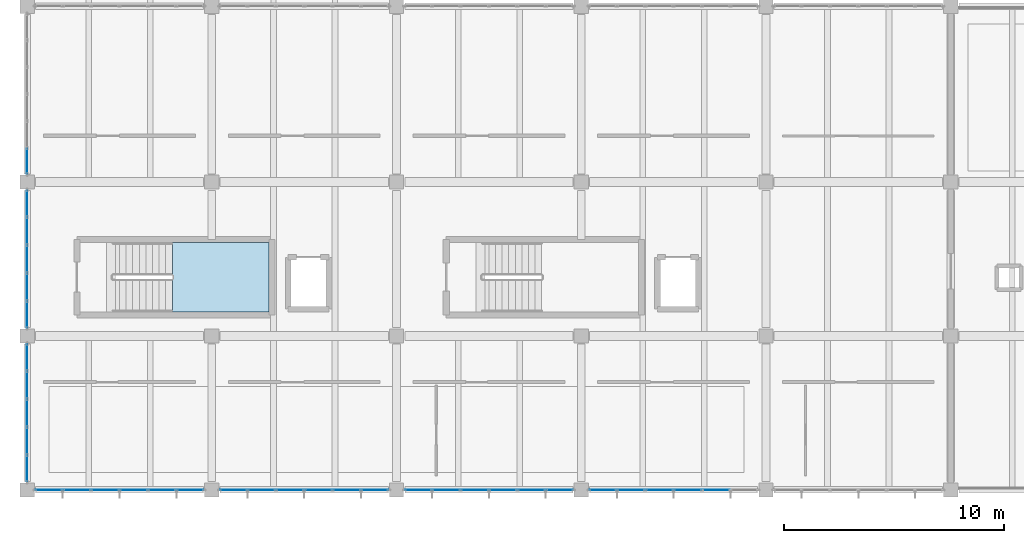
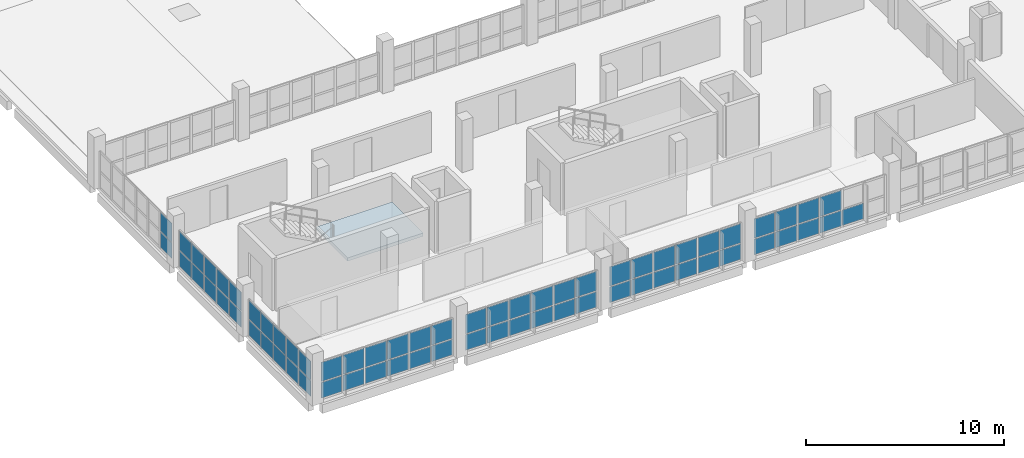
# One storey, part 22 of 33: 67 plates, 1 slab, 8 elements without a shape of their own.
"""IFC4 building model written with IfcOpenShell, lengths in metres."""

from ifc_helpers import new_model, si_unit, direction, frame, origin, origin_2d, place, context, subcontext, project, spatial, polyline, rectangle, outline, extrude, material, layer, layer_set, type_object, element, aggregate, save


model = new_model("IFC4")

# Units and contexts
model_context = context("Model", 3, precision=1e-05, world=origin(), true_north=direction((0.0, 1.0)))
body_context = subcontext(model_context, "Body", "Model", "MODEL_VIEW")
ifc_project = project(units=[si_unit("LENGTHUNIT", "METRE"), si_unit("AREAUNIT", "SQUARE_METRE"), si_unit("VOLUMEUNIT", "CUBIC_METRE"), si_unit("PLANEANGLEUNIT", "RADIAN"), si_unit("MASSUNIT", "GRAM", prefix="KILO"), si_unit("THERMODYNAMICTEMPERATUREUNIT", "KELVIN"), si_unit("POWERUNIT", "WATT")], contexts=[model_context])

# Site, building, storey
site_placement = place(None, origin())
site = spatial("IfcSite", under=ifc_project, at=site_placement, CompositionType="ELEMENT")
building_placement = place(site_placement, origin())
building = spatial("IfcBuilding", under=site, at=building_placement, Name="Mavoryth Pier Ferry Terminal", CompositionType="ELEMENT")
storey_placement = place(building_placement, frame((0.0, 0.0, 13.1201171875)))
storey = spatial("IfcBuildingStorey", under=building, at=storey_placement, Name="L03", CompositionType="ELEMENT", Elevation=13.1201171875)

# Curtain wall, plates
ifc_material_1 = material(Name="Anodised Aluminium and Solar-Control Low-E Glass", Category="aluminium")
ifc_layer_1 = layer(ifc_material_1, 0.239990234375, Name="Anodised Aluminium and Solar-Control Low-E Glass", Category="aluminium")
ifc_layer_set_1 = layer_set([ifc_layer_1], Name="Anodised Aluminium and Solar-Control Low-E Glass - CW-Operations-Mod1200")
curtain_wall_type = type_object("IfcCurtainWallType", Name="CW-Operations-Mod1200", PredefinedType="USERDEFINED", material=ifc_layer_set_1)
curtain_wall_1_placement = place(storey_placement, origin())
curtain_wall_1 = element("IfcCurtainWall", 1, at=curtain_wall_1_placement, inside=storey, type_object=curtain_wall_type, Name="Curtain Wall CW-0322-136", ObjectType="UNITISED CURTAIN WALL", PredefinedType="USERDEFINED")
ifc_material_2 = material(Name="Solar-Control Low-E Laminated Double Glazing", Category="glass")
ifc_layer_2 = layer(ifc_material_2, 0.02392578125, Name="Solar-Control Low-E Laminated Double Glazing", Category="glass")
ifc_layer_set_2 = layer_set([ifc_layer_2], Name="Solar-Control Low-E Laminated Double Glazing - Panel-LowE-DGU-24")
plate_type = type_object("IfcPlateType", Name="Panel-LowE-DGU-24", PredefinedType="CURTAIN_PANEL", material=ifc_layer_set_2)
plate_1_placement = place(storey_placement, frame((42.98583984375, 0.0, 0.059814453125), z_axis=(0.0, 0.0, 1.0), x_axis=(1.0, 0.0, 0.0)))
plate_1 = element("IfcPlate", 2, at=plate_1_placement, type_object=plate_type, Name="CW06 panel 1.1", PredefinedType="CURTAIN_PANEL", context=body_context, shape_type="SweptSolid", body=[
    extrude(rectangle(XDim=1.20166015625, YDim=0.02392578125, at=origin_2d()), origin(), (0.0, 0.0, 1.0), 0.9599609375),
])
plate_2_placement = place(storey_placement, frame((42.98583984375, 0.0, 1.079833984375), z_axis=(0.0, 0.0, 1.0), x_axis=(1.0, 0.0, 0.0)))
plate_2 = element("IfcPlate", 3, at=plate_2_placement, type_object=plate_type, Name="CW06 panel 1.2", PredefinedType="CURTAIN_PANEL", context=body_context, shape_type="SweptSolid", body=[
    extrude(rectangle(XDim=1.20166015625, YDim=0.02392578125, at=origin_2d()), origin(), (0.0, 0.0, 1.0), 1.18505859375),
])
plate_3_placement = place(storey_placement, frame((44.262451171875, 0.0, 0.059814453125), z_axis=(0.0, 0.0, 1.0), x_axis=(1.0, 0.0, 0.0)))
plate_3 = element("IfcPlate", 4, at=plate_3_placement, type_object=plate_type, Name="CW06 panel 2.1", PredefinedType="CURTAIN_PANEL", context=body_context, shape_type="SweptSolid", body=[
    extrude(rectangle(XDim=1.231689453125, YDim=0.02392578125, at=origin_2d()), origin(), (0.0, 0.0, 1.0), 0.9599609375),
])
plate_4_placement = place(storey_placement, frame((44.262451171875, 0.0, 1.079833984375), z_axis=(0.0, 0.0, 1.0), x_axis=(1.0, 0.0, 0.0)))
plate_4 = element("IfcPlate", 5, at=plate_4_placement, type_object=plate_type, Name="CW06 panel 2.2", PredefinedType="CURTAIN_PANEL", context=body_context, shape_type="SweptSolid", body=[
    extrude(rectangle(XDim=1.231689453125, YDim=0.02392578125, at=origin_2d()), origin(), (0.0, 0.0, 1.0), 1.18505859375),
])
plate_5_placement = place(storey_placement, frame((45.55419921875, 0.0, 0.059814453125), z_axis=(0.0, 0.0, 1.0), x_axis=(1.0, 0.0, 0.0)))
plate_5 = element("IfcPlate", 6, at=plate_5_placement, type_object=plate_type, Name="CW06 panel 3.1", PredefinedType="CURTAIN_PANEL", context=body_context, shape_type="SweptSolid", body=[
    extrude(rectangle(XDim=1.231689453125, YDim=0.02392578125, at=origin_2d()), origin(), (0.0, 0.0, 1.0), 0.9599609375),
])
plate_6_placement = place(storey_placement, frame((45.55419921875, 0.0, 1.079833984375), z_axis=(0.0, 0.0, 1.0), x_axis=(1.0, 0.0, 0.0)))
plate_6 = element("IfcPlate", 7, at=plate_6_placement, type_object=plate_type, Name="CW06 panel 3.2", PredefinedType="CURTAIN_PANEL", context=body_context, shape_type="SweptSolid", body=[
    extrude(rectangle(XDim=1.231689453125, YDim=0.02392578125, at=origin_2d()), origin(), (0.0, 0.0, 1.0), 1.18505859375),
])
plate_7_placement = place(storey_placement, frame((46.845947265625, 0.0, 0.059814453125), z_axis=(0.0, 0.0, 1.0), x_axis=(1.0, 0.0, 0.0)))
plate_7 = element("IfcPlate", 8, at=plate_7_placement, type_object=plate_type, Name="CW06 panel 4.1", PredefinedType="CURTAIN_PANEL", context=body_context, shape_type="SweptSolid", body=[
    extrude(rectangle(XDim=1.231689453125, YDim=0.02392578125, at=origin_2d()), origin(), (0.0, 0.0, 1.0), 0.9599609375),
])
plate_8_placement = place(storey_placement, frame((46.845947265625, 0.0, 1.079833984375), z_axis=(0.0, 0.0, 1.0), x_axis=(1.0, 0.0, 0.0)))
plate_8 = element("IfcPlate", 9, at=plate_8_placement, type_object=plate_type, Name="CW06 panel 4.2", PredefinedType="CURTAIN_PANEL", context=body_context, shape_type="SweptSolid", body=[
    extrude(rectangle(XDim=1.231689453125, YDim=0.02392578125, at=origin_2d()), origin(), (0.0, 0.0, 1.0), 1.18505859375),
])
plate_9_placement = place(storey_placement, frame((48.137451171875, 0.0, 0.059814453125), z_axis=(0.0, 0.0, 1.0), x_axis=(1.0, 0.0, 0.0)))
plate_9 = element("IfcPlate", 10, at=plate_9_placement, type_object=plate_type, Name="CW06 panel 5.1", PredefinedType="CURTAIN_PANEL", context=body_context, shape_type="SweptSolid", body=[
    extrude(rectangle(XDim=1.231689453125, YDim=0.02392578125, at=origin_2d()), origin(), (0.0, 0.0, 1.0), 0.9599609375),
])
plate_10_placement = place(storey_placement, frame((48.137451171875, 0.0, 1.079833984375), z_axis=(0.0, 0.0, 1.0), x_axis=(1.0, 0.0, 0.0)))
plate_10 = element("IfcPlate", 11, at=plate_10_placement, type_object=plate_type, Name="CW06 panel 5.2", PredefinedType="CURTAIN_PANEL", context=body_context, shape_type="SweptSolid", body=[
    extrude(rectangle(XDim=1.231689453125, YDim=0.02392578125, at=origin_2d()), origin(), (0.0, 0.0, 1.0), 1.18505859375),
])
plate_11_placement = place(storey_placement, frame((49.4140625, 0.0, 0.059814453125), z_axis=(0.0, 0.0, 1.0), x_axis=(1.0, 0.0, 0.0)))
plate_11 = element("IfcPlate", 12, at=plate_11_placement, type_object=plate_type, Name="CW06 panel 6.1", PredefinedType="CURTAIN_PANEL", context=body_context, shape_type="SweptSolid", body=[
    extrude(rectangle(XDim=1.20166015625, YDim=0.02392578125, at=origin_2d()), origin(), (0.0, 0.0, 1.0), 0.9599609375),
])
plate_12_placement = place(storey_placement, frame((49.4140625, 0.0, 1.079833984375), z_axis=(0.0, 0.0, 1.0), x_axis=(1.0, 0.0, 0.0)))
plate_12 = element("IfcPlate", 13, at=plate_12_placement, type_object=plate_type, Name="CW06 panel 6.2", PredefinedType="CURTAIN_PANEL", context=body_context, shape_type="SweptSolid", body=[
    extrude(rectangle(XDim=1.20166015625, YDim=0.02392578125, at=origin_2d()), origin(), (0.0, 0.0, 1.0), 1.18505859375),
])
aggregate(curtain_wall_1, [plate_1, plate_2, plate_3, plate_4, plate_5, plate_6, plate_7, plate_8, plate_9, plate_10, plate_11, plate_12])

curtain_wall_2_placement = place(storey_placement, origin())
curtain_wall_2 = element("IfcCurtainWall", 14, at=curtain_wall_2_placement, inside=storey, type_object=curtain_wall_type, Name="Curtain Wall CW-0322-138", ObjectType="UNITISED CURTAIN WALL", PredefinedType="USERDEFINED")
plate_13_placement = place(storey_placement, frame((51.3857421875, 0.0, 0.059814453125), z_axis=(0.0, 0.0, 1.0), x_axis=(1.0, 0.0, 0.0)))
plate_13 = element("IfcPlate", 15, at=plate_13_placement, type_object=plate_type, Name="CW06 panel 1.1", PredefinedType="CURTAIN_PANEL", context=body_context, shape_type="SweptSolid", body=[
    extrude(rectangle(XDim=1.20166015625, YDim=0.02392578125, at=origin_2d()), origin(), (0.0, 0.0, 1.0), 0.9599609375),
])
plate_14_placement = place(storey_placement, frame((51.3857421875, 0.0, 1.079833984375), z_axis=(0.0, 0.0, 1.0), x_axis=(1.0, 0.0, 0.0)))
plate_14 = element("IfcPlate", 16, at=plate_14_placement, type_object=plate_type, Name="CW06 panel 1.2", PredefinedType="CURTAIN_PANEL", context=body_context, shape_type="SweptSolid", body=[
    extrude(rectangle(XDim=1.20166015625, YDim=0.02392578125, at=origin_2d()), origin(), (0.0, 0.0, 1.0), 1.18505859375),
])
plate_15_placement = place(storey_placement, frame((52.66259765625, 0.0, 0.059814453125), z_axis=(0.0, 0.0, 1.0), x_axis=(1.0, 0.0, 0.0)))
plate_15 = element("IfcPlate", 17, at=plate_15_placement, type_object=plate_type, Name="CW06 panel 2.1", PredefinedType="CURTAIN_PANEL", context=body_context, shape_type="SweptSolid", body=[
    extrude(rectangle(XDim=1.231689453125, YDim=0.02392578125, at=origin_2d()), origin(), (0.0, 0.0, 1.0), 0.9599609375),
])
plate_16_placement = place(storey_placement, frame((52.66259765625, 0.0, 1.079833984375), z_axis=(0.0, 0.0, 1.0), x_axis=(1.0, 0.0, 0.0)))
plate_16 = element("IfcPlate", 18, at=plate_16_placement, type_object=plate_type, Name="CW06 panel 2.2", PredefinedType="CURTAIN_PANEL", context=body_context, shape_type="SweptSolid", body=[
    extrude(rectangle(XDim=1.231689453125, YDim=0.02392578125, at=origin_2d()), origin(), (0.0, 0.0, 1.0), 1.18505859375),
])
plate_17_placement = place(storey_placement, frame((53.9541015625, 0.0, 0.059814453125), z_axis=(0.0, 0.0, 1.0), x_axis=(1.0, 0.0, 0.0)))
plate_17 = element("IfcPlate", 19, at=plate_17_placement, type_object=plate_type, Name="CW06 panel 3.1", PredefinedType="CURTAIN_PANEL", context=body_context, shape_type="SweptSolid", body=[
    extrude(rectangle(XDim=1.231689453125, YDim=0.02392578125, at=origin_2d()), origin(), (0.0, 0.0, 1.0), 0.9599609375),
])
plate_18_placement = place(storey_placement, frame((53.9541015625, 0.0, 1.079833984375), z_axis=(0.0, 0.0, 1.0), x_axis=(1.0, 0.0, 0.0)))
plate_18 = element("IfcPlate", 20, at=plate_18_placement, type_object=plate_type, Name="CW06 panel 3.2", PredefinedType="CURTAIN_PANEL", context=body_context, shape_type="SweptSolid", body=[
    extrude(rectangle(XDim=1.231689453125, YDim=0.02392578125, at=origin_2d()), origin(), (0.0, 0.0, 1.0), 1.18505859375),
])
plate_19_placement = place(storey_placement, frame((55.245849609375, 0.0, 0.059814453125), z_axis=(0.0, 0.0, 1.0), x_axis=(1.0, 0.0, 0.0)))
plate_19 = element("IfcPlate", 21, at=plate_19_placement, type_object=plate_type, Name="CW06 panel 4.1", PredefinedType="CURTAIN_PANEL", context=body_context, shape_type="SweptSolid", body=[
    extrude(rectangle(XDim=1.231689453125, YDim=0.02392578125, at=origin_2d()), origin(), (0.0, 0.0, 1.0), 0.9599609375),
])
plate_20_placement = place(storey_placement, frame((55.245849609375, 0.0, 1.079833984375), z_axis=(0.0, 0.0, 1.0), x_axis=(1.0, 0.0, 0.0)))
plate_20 = element("IfcPlate", 22, at=plate_20_placement, type_object=plate_type, Name="CW06 panel 4.2", PredefinedType="CURTAIN_PANEL", context=body_context, shape_type="SweptSolid", body=[
    extrude(rectangle(XDim=1.231689453125, YDim=0.02392578125, at=origin_2d()), origin(), (0.0, 0.0, 1.0), 1.18505859375),
])
plate_21_placement = place(storey_placement, frame((56.53759765625, 0.0, 0.059814453125), z_axis=(0.0, 0.0, 1.0), x_axis=(1.0, 0.0, 0.0)))
plate_21 = element("IfcPlate", 23, at=plate_21_placement, type_object=plate_type, Name="CW06 panel 5.1", PredefinedType="CURTAIN_PANEL", context=body_context, shape_type="SweptSolid", body=[
    extrude(rectangle(XDim=1.231689453125, YDim=0.02392578125, at=origin_2d()), origin(), (0.0, 0.0, 1.0), 0.9599609375),
])
plate_22_placement = place(storey_placement, frame((56.53759765625, 0.0, 1.079833984375), z_axis=(0.0, 0.0, 1.0), x_axis=(1.0, 0.0, 0.0)))
plate_22 = element("IfcPlate", 24, at=plate_22_placement, type_object=plate_type, Name="CW06 panel 5.2", PredefinedType="CURTAIN_PANEL", context=body_context, shape_type="SweptSolid", body=[
    extrude(rectangle(XDim=1.231689453125, YDim=0.02392578125, at=origin_2d()), origin(), (0.0, 0.0, 1.0), 1.18505859375),
])
plate_23_placement = place(storey_placement, frame((57.814208984375, 0.0, 0.059814453125), z_axis=(0.0, 0.0, 1.0), x_axis=(1.0, 0.0, 0.0)))
plate_23 = element("IfcPlate", 25, at=plate_23_placement, type_object=plate_type, Name="CW06 panel 6.1", PredefinedType="CURTAIN_PANEL", context=body_context, shape_type="SweptSolid", body=[
    extrude(rectangle(XDim=1.20166015625, YDim=0.02392578125, at=origin_2d()), origin(), (0.0, 0.0, 1.0), 0.9599609375),
])
plate_24_placement = place(storey_placement, frame((57.814208984375, 0.0, 1.079833984375), z_axis=(0.0, 0.0, 1.0), x_axis=(1.0, 0.0, 0.0)))
plate_24 = element("IfcPlate", 26, at=plate_24_placement, type_object=plate_type, Name="CW06 panel 6.2", PredefinedType="CURTAIN_PANEL", context=body_context, shape_type="SweptSolid", body=[
    extrude(rectangle(XDim=1.20166015625, YDim=0.02392578125, at=origin_2d()), origin(), (0.0, 0.0, 1.0), 1.18505859375),
])
aggregate(curtain_wall_2, [plate_13, plate_14, plate_15, plate_16, plate_17, plate_18, plate_19, plate_20, plate_21, plate_22, plate_23, plate_24])

curtain_wall_3_placement = place(storey_placement, origin())
curtain_wall_3 = element("IfcCurtainWall", 27, at=curtain_wall_3_placement, inside=storey, type_object=curtain_wall_type, Name="Curtain Wall CW-0322-140", ObjectType="UNITISED CURTAIN WALL", PredefinedType="USERDEFINED")
plate_25_placement = place(storey_placement, frame((59.785888671875, 0.0, 0.059814453125), z_axis=(0.0, 0.0, 1.0), x_axis=(1.0, 0.0, 0.0)))
plate_25 = element("IfcPlate", 28, at=plate_25_placement, type_object=plate_type, Name="CW06 panel 1.1", PredefinedType="CURTAIN_PANEL", context=body_context, shape_type="SweptSolid", body=[
    extrude(rectangle(XDim=1.20166015625, YDim=0.02392578125, at=origin_2d()), origin(), (0.0, 0.0, 1.0), 0.9599609375),
])
plate_26_placement = place(storey_placement, frame((59.785888671875, 0.0, 1.079833984375), z_axis=(0.0, 0.0, 1.0), x_axis=(1.0, 0.0, 0.0)))
plate_26 = element("IfcPlate", 29, at=plate_26_placement, type_object=plate_type, Name="CW06 panel 1.2", PredefinedType="CURTAIN_PANEL", context=body_context, shape_type="SweptSolid", body=[
    extrude(rectangle(XDim=1.20166015625, YDim=0.02392578125, at=origin_2d()), origin(), (0.0, 0.0, 1.0), 1.18505859375),
])
plate_27_placement = place(storey_placement, frame((61.0625, 0.0, 0.059814453125), z_axis=(0.0, 0.0, 1.0), x_axis=(1.0, 0.0, 0.0)))
plate_27 = element("IfcPlate", 30, at=plate_27_placement, type_object=plate_type, Name="CW06 panel 2.1", PredefinedType="CURTAIN_PANEL", context=body_context, shape_type="SweptSolid", body=[
    extrude(rectangle(XDim=1.231689453125, YDim=0.02392578125, at=origin_2d()), origin(), (0.0, 0.0, 1.0), 0.9599609375),
])
plate_28_placement = place(storey_placement, frame((61.0625, 0.0, 1.079833984375), z_axis=(0.0, 0.0, 1.0), x_axis=(1.0, 0.0, 0.0)))
plate_28 = element("IfcPlate", 31, at=plate_28_placement, type_object=plate_type, Name="CW06 panel 2.2", PredefinedType="CURTAIN_PANEL", context=body_context, shape_type="SweptSolid", body=[
    extrude(rectangle(XDim=1.231689453125, YDim=0.02392578125, at=origin_2d()), origin(), (0.0, 0.0, 1.0), 1.18505859375),
])
plate_29_placement = place(storey_placement, frame((62.354248046875, 0.0, 0.059814453125), z_axis=(0.0, 0.0, 1.0), x_axis=(1.0, 0.0, 0.0)))
plate_29 = element("IfcPlate", 32, at=plate_29_placement, type_object=plate_type, Name="CW06 panel 3.1", PredefinedType="CURTAIN_PANEL", context=body_context, shape_type="SweptSolid", body=[
    extrude(rectangle(XDim=1.231689453125, YDim=0.02392578125, at=origin_2d()), origin(), (0.0, 0.0, 1.0), 0.9599609375),
])
plate_30_placement = place(storey_placement, frame((62.354248046875, 0.0, 1.079833984375), z_axis=(0.0, 0.0, 1.0), x_axis=(1.0, 0.0, 0.0)))
plate_30 = element("IfcPlate", 33, at=plate_30_placement, type_object=plate_type, Name="CW06 panel 3.2", PredefinedType="CURTAIN_PANEL", context=body_context, shape_type="SweptSolid", body=[
    extrude(rectangle(XDim=1.231689453125, YDim=0.02392578125, at=origin_2d()), origin(), (0.0, 0.0, 1.0), 1.18505859375),
])
plate_31_placement = place(storey_placement, frame((63.645751953125, 0.0, 0.059814453125), z_axis=(0.0, 0.0, 1.0), x_axis=(1.0, 0.0, 0.0)))
plate_31 = element("IfcPlate", 34, at=plate_31_placement, type_object=plate_type, Name="CW06 panel 4.1", PredefinedType="CURTAIN_PANEL", context=body_context, shape_type="SweptSolid", body=[
    extrude(rectangle(XDim=1.231689453125, YDim=0.02392578125, at=origin_2d()), origin(), (0.0, 0.0, 1.0), 0.9599609375),
])
plate_32_placement = place(storey_placement, frame((63.645751953125, 0.0, 1.079833984375), z_axis=(0.0, 0.0, 1.0), x_axis=(1.0, 0.0, 0.0)))
plate_32 = element("IfcPlate", 35, at=plate_32_placement, type_object=plate_type, Name="CW06 panel 4.2", PredefinedType="CURTAIN_PANEL", context=body_context, shape_type="SweptSolid", body=[
    extrude(rectangle(XDim=1.231689453125, YDim=0.02392578125, at=origin_2d()), origin(), (0.0, 0.0, 1.0), 1.18505859375),
])
plate_33_placement = place(storey_placement, frame((64.9375, 0.0, 0.059814453125), z_axis=(0.0, 0.0, 1.0), x_axis=(1.0, 0.0, 0.0)))
plate_33 = element("IfcPlate", 36, at=plate_33_placement, type_object=plate_type, Name="CW06 panel 5.1", PredefinedType="CURTAIN_PANEL", context=body_context, shape_type="SweptSolid", body=[
    extrude(rectangle(XDim=1.231689453125, YDim=0.02392578125, at=origin_2d()), origin(), (0.0, 0.0, 1.0), 0.9599609375),
])
plate_34_placement = place(storey_placement, frame((64.9375, 0.0, 1.079833984375), z_axis=(0.0, 0.0, 1.0), x_axis=(1.0, 0.0, 0.0)))
plate_34 = element("IfcPlate", 37, at=plate_34_placement, type_object=plate_type, Name="CW06 panel 5.2", PredefinedType="CURTAIN_PANEL", context=body_context, shape_type="SweptSolid", body=[
    extrude(rectangle(XDim=1.231689453125, YDim=0.02392578125, at=origin_2d()), origin(), (0.0, 0.0, 1.0), 1.18505859375),
])
plate_35_placement = place(storey_placement, frame((66.214111328125, 0.0, 0.059814453125), z_axis=(0.0, 0.0, 1.0), x_axis=(1.0, 0.0, 0.0)))
plate_35 = element("IfcPlate", 38, at=plate_35_placement, type_object=plate_type, Name="CW06 panel 6.1", PredefinedType="CURTAIN_PANEL", context=body_context, shape_type="SweptSolid", body=[
    extrude(rectangle(XDim=1.20166015625, YDim=0.02392578125, at=origin_2d()), origin(), (0.0, 0.0, 1.0), 0.9599609375),
])
plate_36_placement = place(storey_placement, frame((66.214111328125, 0.0, 1.079833984375), z_axis=(0.0, 0.0, 1.0), x_axis=(1.0, 0.0, 0.0)))
plate_36 = element("IfcPlate", 39, at=plate_36_placement, type_object=plate_type, Name="CW06 panel 6.2", PredefinedType="CURTAIN_PANEL", context=body_context, shape_type="SweptSolid", body=[
    extrude(rectangle(XDim=1.20166015625, YDim=0.02392578125, at=origin_2d()), origin(), (0.0, 0.0, 1.0), 1.18505859375),
])
aggregate(curtain_wall_3, [plate_25, plate_26, plate_27, plate_28, plate_29, plate_30, plate_31, plate_32, plate_33, plate_34, plate_35, plate_36])

curtain_wall_4_placement = place(storey_placement, origin())
curtain_wall_4 = element("IfcCurtainWall", 40, at=curtain_wall_4_placement, inside=storey, type_object=curtain_wall_type, Name="Curtain Wall CW-0322-142", ObjectType="UNITISED CURTAIN WALL", PredefinedType="USERDEFINED")
plate_37_placement = place(storey_placement, frame((68.185791015625, 0.0, 0.059814453125), z_axis=(0.0, 0.0, 1.0), x_axis=(1.0, 0.0, 0.0)))
plate_37 = element("IfcPlate", 41, at=plate_37_placement, type_object=plate_type, Name="CW06 panel 1.1", PredefinedType="CURTAIN_PANEL", context=body_context, shape_type="SweptSolid", body=[
    extrude(rectangle(XDim=1.20166015625, YDim=0.02392578125, at=origin_2d()), origin(), (0.0, 0.0, 1.0), 0.9599609375),
])
plate_38_placement = place(storey_placement, frame((68.185791015625, 0.0, 1.079833984375), z_axis=(0.0, 0.0, 1.0), x_axis=(1.0, 0.0, 0.0)))
plate_38 = element("IfcPlate", 42, at=plate_38_placement, type_object=plate_type, Name="CW06 panel 1.2", PredefinedType="CURTAIN_PANEL", context=body_context, shape_type="SweptSolid", body=[
    extrude(rectangle(XDim=1.20166015625, YDim=0.02392578125, at=origin_2d()), origin(), (0.0, 0.0, 1.0), 1.18505859375),
])
plate_39_placement = place(storey_placement, frame((69.46240234375, 0.0, 0.059814453125), z_axis=(0.0, 0.0, 1.0), x_axis=(1.0, 0.0, 0.0)))
plate_39 = element("IfcPlate", 43, at=plate_39_placement, type_object=plate_type, Name="CW06 panel 2.1", PredefinedType="CURTAIN_PANEL", context=body_context, shape_type="SweptSolid", body=[
    extrude(rectangle(XDim=1.231689453125, YDim=0.02392578125, at=origin_2d()), origin(), (0.0, 0.0, 1.0), 0.9599609375),
])
plate_40_placement = place(storey_placement, frame((69.46240234375, 0.0, 1.079833984375), z_axis=(0.0, 0.0, 1.0), x_axis=(1.0, 0.0, 0.0)))
plate_40 = element("IfcPlate", 44, at=plate_40_placement, type_object=plate_type, Name="CW06 panel 2.2", PredefinedType="CURTAIN_PANEL", context=body_context, shape_type="SweptSolid", body=[
    extrude(rectangle(XDim=1.231689453125, YDim=0.02392578125, at=origin_2d()), origin(), (0.0, 0.0, 1.0), 1.18505859375),
])
plate_41_placement = place(storey_placement, frame((70.754150390625, 0.0, 0.059814453125), z_axis=(0.0, 0.0, 1.0), x_axis=(1.0, 0.0, 0.0)))
plate_41 = element("IfcPlate", 45, at=plate_41_placement, type_object=plate_type, Name="CW06 panel 3.1", PredefinedType="CURTAIN_PANEL", context=body_context, shape_type="SweptSolid", body=[
    extrude(rectangle(XDim=1.231689453125, YDim=0.02392578125, at=origin_2d()), origin(), (0.0, 0.0, 1.0), 0.9599609375),
])
plate_42_placement = place(storey_placement, frame((70.754150390625, 0.0, 1.079833984375), z_axis=(0.0, 0.0, 1.0), x_axis=(1.0, 0.0, 0.0)))
plate_42 = element("IfcPlate", 46, at=plate_42_placement, type_object=plate_type, Name="CW06 panel 3.2", PredefinedType="CURTAIN_PANEL", context=body_context, shape_type="SweptSolid", body=[
    extrude(rectangle(XDim=1.231689453125, YDim=0.02392578125, at=origin_2d()), origin(), (0.0, 0.0, 1.0), 1.18505859375),
])
plate_43_placement = place(storey_placement, frame((72.0458984375, 0.0, 0.059814453125), z_axis=(0.0, 0.0, 1.0), x_axis=(1.0, 0.0, 0.0)))
plate_43 = element("IfcPlate", 47, at=plate_43_placement, type_object=plate_type, Name="CW06 panel 4.1", PredefinedType="CURTAIN_PANEL", context=body_context, shape_type="SweptSolid", body=[
    extrude(rectangle(XDim=1.231689453125, YDim=0.02392578125, at=origin_2d()), origin(), (0.0, 0.0, 1.0), 0.9599609375),
])
plate_44_placement = place(storey_placement, frame((72.0458984375, 0.0, 1.079833984375), z_axis=(0.0, 0.0, 1.0), x_axis=(1.0, 0.0, 0.0)))
plate_44 = element("IfcPlate", 48, at=plate_44_placement, type_object=plate_type, Name="CW06 panel 4.2", PredefinedType="CURTAIN_PANEL", context=body_context, shape_type="SweptSolid", body=[
    extrude(rectangle(XDim=1.231689453125, YDim=0.02392578125, at=origin_2d()), origin(), (0.0, 0.0, 1.0), 1.18505859375),
])
plate_45_placement = place(storey_placement, frame((73.33740234375, 0.0, 0.059814453125), z_axis=(0.0, 0.0, 1.0), x_axis=(1.0, 0.0, 0.0)))
plate_45 = element("IfcPlate", 49, at=plate_45_placement, type_object=plate_type, Name="CW06 panel 5.1", PredefinedType="CURTAIN_PANEL", context=body_context, shape_type="SweptSolid", body=[
    extrude(rectangle(XDim=1.231689453125, YDim=0.02392578125, at=origin_2d()), origin(), (0.0, 0.0, 1.0), 0.9599609375),
])
aggregate(curtain_wall_4, [plate_37, plate_38, plate_39, plate_40, plate_41, plate_42, plate_43, plate_44, plate_45])

curtain_wall_5_placement = place(storey_placement, origin())
curtain_wall_5 = element("IfcCurtainWall", 50, at=curtain_wall_5_placement, inside=storey, type_object=curtain_wall_type, Name="Curtain Wall CW-0322-146", ObjectType="UNITISED CURTAIN WALL", PredefinedType="USERDEFINED")
plate_46_placement = place(storey_placement, frame((42.0, 6.02490234375, 0.059814453125), z_axis=(0.0, 0.0, 1.0), x_axis=(0.0, -1.0, 0.0)))
plate_46 = element("IfcPlate", 51, at=plate_46_placement, type_object=plate_type, Name="CW06 panel 1.1", PredefinedType="CURTAIN_PANEL", context=body_context, shape_type="SweptSolid", body=[
    extrude(rectangle(XDim=1.179931640625, YDim=0.02392578125, at=origin_2d()), origin(), (0.0, 0.0, 1.0), 0.9599609375),
])
plate_47_placement = place(storey_placement, frame((42.0, 6.02490234375, 1.080078125), z_axis=(0.0, 0.0, 1.0), x_axis=(0.0, -1.0, 0.0)))
plate_47 = element("IfcPlate", 52, at=plate_47_placement, type_object=plate_type, Name="CW06 panel 1.2", PredefinedType="CURTAIN_PANEL", context=body_context, shape_type="SweptSolid", body=[
    extrude(rectangle(XDim=1.179931640625, YDim=0.02392578125, at=origin_2d()), origin(), (0.0, 0.0, 1.0), 1.135009765625),
])
plate_48_placement = place(storey_placement, frame((42.0, 4.77001953125, 0.059814453125), z_axis=(0.0, 0.0, 1.0), x_axis=(0.0, -1.0, 0.0)))
plate_48 = element("IfcPlate", 53, at=plate_48_placement, type_object=plate_type, Name="CW06 panel 2.1", PredefinedType="CURTAIN_PANEL", context=body_context, shape_type="SweptSolid", body=[
    extrude(rectangle(XDim=1.2099609375, YDim=0.02392578125, at=origin_2d()), origin(), (0.0, 0.0, 1.0), 0.9599609375),
])
plate_49_placement = place(storey_placement, frame((42.0, 4.77001953125, 1.080078125), z_axis=(0.0, 0.0, 1.0), x_axis=(0.0, -1.0, 0.0)))
plate_49 = element("IfcPlate", 54, at=plate_49_placement, type_object=plate_type, Name="CW06 panel 2.2", PredefinedType="CURTAIN_PANEL", context=body_context, shape_type="SweptSolid", body=[
    extrude(rectangle(XDim=1.2099609375, YDim=0.02392578125, at=origin_2d()), origin(), (0.0, 0.0, 1.0), 1.135009765625),
])
plate_50_placement = place(storey_placement, frame((42.0, 3.5, 0.059814453125), z_axis=(0.0, 0.0, 1.0), x_axis=(0.0, -1.0, 0.0)))
plate_50 = element("IfcPlate", 55, at=plate_50_placement, type_object=plate_type, Name="CW06 panel 3.1", PredefinedType="CURTAIN_PANEL", context=body_context, shape_type="SweptSolid", body=[
    extrude(rectangle(XDim=1.2099609375, YDim=0.02392578125, at=origin_2d()), origin(), (0.0, 0.0, 1.0), 0.9599609375),
])
plate_51_placement = place(storey_placement, frame((42.0, 3.5, 1.080078125), z_axis=(0.0, 0.0, 1.0), x_axis=(0.0, -1.0, 0.0)))
plate_51 = element("IfcPlate", 56, at=plate_51_placement, type_object=plate_type, Name="CW06 panel 3.2", PredefinedType="CURTAIN_PANEL", context=body_context, shape_type="SweptSolid", body=[
    extrude(rectangle(XDim=1.2099609375, YDim=0.02392578125, at=origin_2d()), origin(), (0.0, 0.0, 1.0), 1.135009765625),
])
plate_52_placement = place(storey_placement, frame((42.0, 2.22998046875, 0.059814453125), z_axis=(0.0, 0.0, 1.0), x_axis=(0.0, -1.0, 0.0)))
plate_52 = element("IfcPlate", 57, at=plate_52_placement, type_object=plate_type, Name="CW06 panel 4.1", PredefinedType="CURTAIN_PANEL", context=body_context, shape_type="SweptSolid", body=[
    extrude(rectangle(XDim=1.2099609375, YDim=0.02392578125, at=origin_2d()), origin(), (0.0, 0.0, 1.0), 0.9599609375),
])
plate_53_placement = place(storey_placement, frame((42.0, 2.22998046875, 1.080078125), z_axis=(0.0, 0.0, 1.0), x_axis=(0.0, -1.0, 0.0)))
plate_53 = element("IfcPlate", 58, at=plate_53_placement, type_object=plate_type, Name="CW06 panel 4.2", PredefinedType="CURTAIN_PANEL", context=body_context, shape_type="SweptSolid", body=[
    extrude(rectangle(XDim=1.2099609375, YDim=0.02392578125, at=origin_2d()), origin(), (0.0, 0.0, 1.0), 1.135009765625),
])
plate_54_placement = place(storey_placement, frame((42.0, 0.97509765625, 0.059814453125), z_axis=(0.0, 0.0, 1.0), x_axis=(0.0, -1.0, 0.0)))
plate_54 = element("IfcPlate", 59, at=plate_54_placement, type_object=plate_type, Name="CW06 panel 5.1", PredefinedType="CURTAIN_PANEL", context=body_context, shape_type="SweptSolid", body=[
    extrude(rectangle(XDim=1.179931640625, YDim=0.02392578125, at=origin_2d()), origin(), (0.0, 0.0, 1.0), 0.9599609375),
])
plate_55_placement = place(storey_placement, frame((42.0, 0.97509765625, 1.080078125), z_axis=(0.0, 0.0, 1.0), x_axis=(0.0, -1.0, 0.0)))
plate_55 = element("IfcPlate", 60, at=plate_55_placement, type_object=plate_type, Name="CW06 panel 5.2", PredefinedType="CURTAIN_PANEL", context=body_context, shape_type="SweptSolid", body=[
    extrude(rectangle(XDim=1.179931640625, YDim=0.02392578125, at=origin_2d()), origin(), (0.0, 0.0, 1.0), 1.135009765625),
])
aggregate(curtain_wall_5, [plate_46, plate_47, plate_48, plate_49, plate_50, plate_51, plate_52, plate_53, plate_54, plate_55])

curtain_wall_6_placement = place(storey_placement, origin())
curtain_wall_6 = element("IfcCurtainWall", 61, at=curtain_wall_6_placement, inside=storey, type_object=curtain_wall_type, Name="Curtain Wall CW-0322-147", ObjectType="UNITISED CURTAIN WALL", PredefinedType="USERDEFINED")
plate_56_placement = place(storey_placement, frame((42.0, 13.02490234375, 0.059814453125), z_axis=(0.0, 0.0, 1.0), x_axis=(0.0, -1.0, 0.0)))
plate_56 = element("IfcPlate", 62, at=plate_56_placement, type_object=plate_type, Name="CW06 panel 1.1", PredefinedType="CURTAIN_PANEL", context=body_context, shape_type="SweptSolid", body=[
    extrude(rectangle(XDim=1.179931640625, YDim=0.02392578125, at=origin_2d()), origin(), (0.0, 0.0, 1.0), 0.9599609375),
])
plate_57_placement = place(storey_placement, frame((42.0, 13.02490234375, 1.080078125), z_axis=(0.0, 0.0, 1.0), x_axis=(0.0, -1.0, 0.0)))
plate_57 = element("IfcPlate", 63, at=plate_57_placement, type_object=plate_type, Name="CW06 panel 1.2", PredefinedType="CURTAIN_PANEL", context=body_context, shape_type="SweptSolid", body=[
    extrude(rectangle(XDim=1.179931640625, YDim=0.02392578125, at=origin_2d()), origin(), (0.0, 0.0, 1.0), 1.135009765625),
])
plate_58_placement = place(storey_placement, frame((42.0, 11.77001953125, 0.059814453125), z_axis=(0.0, 0.0, 1.0), x_axis=(0.0, -1.0, 0.0)))
plate_58 = element("IfcPlate", 64, at=plate_58_placement, type_object=plate_type, Name="CW06 panel 2.1", PredefinedType="CURTAIN_PANEL", context=body_context, shape_type="SweptSolid", body=[
    extrude(rectangle(XDim=1.2099609375, YDim=0.02392578125, at=origin_2d()), origin(), (0.0, 0.0, 1.0), 0.9599609375),
])
plate_59_placement = place(storey_placement, frame((42.0, 11.77001953125, 1.080078125), z_axis=(0.0, 0.0, 1.0), x_axis=(0.0, -1.0, 0.0)))
plate_59 = element("IfcPlate", 65, at=plate_59_placement, type_object=plate_type, Name="CW06 panel 2.2", PredefinedType="CURTAIN_PANEL", context=body_context, shape_type="SweptSolid", body=[
    extrude(rectangle(XDim=1.2099609375, YDim=0.02392578125, at=origin_2d()), origin(), (0.0, 0.0, 1.0), 1.135009765625),
])
plate_60_placement = place(storey_placement, frame((42.0, 10.5, 0.059814453125), z_axis=(0.0, 0.0, 1.0), x_axis=(0.0, -1.0, 0.0)))
plate_60 = element("IfcPlate", 66, at=plate_60_placement, type_object=plate_type, Name="CW06 panel 3.1", PredefinedType="CURTAIN_PANEL", context=body_context, shape_type="SweptSolid", body=[
    extrude(rectangle(XDim=1.2099609375, YDim=0.02392578125, at=origin_2d()), origin(), (0.0, 0.0, 1.0), 0.9599609375),
])
plate_61_placement = place(storey_placement, frame((42.0, 10.5, 1.080078125), z_axis=(0.0, 0.0, 1.0), x_axis=(0.0, -1.0, 0.0)))
plate_61 = element("IfcPlate", 67, at=plate_61_placement, type_object=plate_type, Name="CW06 panel 3.2", PredefinedType="CURTAIN_PANEL", context=body_context, shape_type="SweptSolid", body=[
    extrude(rectangle(XDim=1.2099609375, YDim=0.02392578125, at=origin_2d()), origin(), (0.0, 0.0, 1.0), 1.135009765625),
])
plate_62_placement = place(storey_placement, frame((42.0, 9.22998046875, 0.059814453125), z_axis=(0.0, 0.0, 1.0), x_axis=(0.0, -1.0, 0.0)))
plate_62 = element("IfcPlate", 68, at=plate_62_placement, type_object=plate_type, Name="CW06 panel 4.1", PredefinedType="CURTAIN_PANEL", context=body_context, shape_type="SweptSolid", body=[
    extrude(rectangle(XDim=1.2099609375, YDim=0.02392578125, at=origin_2d()), origin(), (0.0, 0.0, 1.0), 0.9599609375),
])
plate_63_placement = place(storey_placement, frame((42.0, 9.22998046875, 1.080078125), z_axis=(0.0, 0.0, 1.0), x_axis=(0.0, -1.0, 0.0)))
plate_63 = element("IfcPlate", 69, at=plate_63_placement, type_object=plate_type, Name="CW06 panel 4.2", PredefinedType="CURTAIN_PANEL", context=body_context, shape_type="SweptSolid", body=[
    extrude(rectangle(XDim=1.2099609375, YDim=0.02392578125, at=origin_2d()), origin(), (0.0, 0.0, 1.0), 1.135009765625),
])
plate_64_placement = place(storey_placement, frame((42.0, 7.97509765625, 0.059814453125), z_axis=(0.0, 0.0, 1.0), x_axis=(0.0, -1.0, 0.0)))
plate_64 = element("IfcPlate", 70, at=plate_64_placement, type_object=plate_type, Name="CW06 panel 5.1", PredefinedType="CURTAIN_PANEL", context=body_context, shape_type="SweptSolid", body=[
    extrude(rectangle(XDim=1.179931640625, YDim=0.02392578125, at=origin_2d()), origin(), (0.0, 0.0, 1.0), 0.9599609375),
])
plate_65_placement = place(storey_placement, frame((42.0, 7.97509765625, 1.080078125), z_axis=(0.0, 0.0, 1.0), x_axis=(0.0, -1.0, 0.0)))
plate_65 = element("IfcPlate", 71, at=plate_65_placement, type_object=plate_type, Name="CW06 panel 5.2", PredefinedType="CURTAIN_PANEL", context=body_context, shape_type="SweptSolid", body=[
    extrude(rectangle(XDim=1.179931640625, YDim=0.02392578125, at=origin_2d()), origin(), (0.0, 0.0, 1.0), 1.135009765625),
])
aggregate(curtain_wall_6, [plate_56, plate_57, plate_58, plate_59, plate_60, plate_61, plate_62, plate_63, plate_64, plate_65])

curtain_wall_7_placement = place(storey_placement, origin())
curtain_wall_7 = element("IfcCurtainWall", 72, at=curtain_wall_7_placement, inside=storey, type_object=curtain_wall_type, Name="Curtain Wall CW-0322-148", ObjectType="UNITISED CURTAIN WALL", PredefinedType="USERDEFINED")
plate_66_placement = place(storey_placement, frame((42.0, 14.952392578125, 0.059814453125), z_axis=(0.0, 0.0, 1.0), x_axis=(0.0, -1.0, 0.0)))
plate_66 = element("IfcPlate", 73, at=plate_66_placement, type_object=plate_type, Name="CW06 panel 6.1", PredefinedType="CURTAIN_PANEL", context=body_context, shape_type="SweptSolid", body=[
    extrude(rectangle(XDim=1.135009765625, YDim=0.02392578125, at=origin_2d()), origin(), (0.0, 0.0, 1.0), 0.9599609375),
])
plate_67_placement = place(storey_placement, frame((42.0, 14.952392578125, 1.080078125), z_axis=(0.0, 0.0, 1.0), x_axis=(0.0, -1.0, 0.0)))
plate_67 = element("IfcPlate", 74, at=plate_67_placement, type_object=plate_type, Name="CW06 panel 6.2", PredefinedType="CURTAIN_PANEL", context=body_context, shape_type="SweptSolid", body=[
    extrude(rectangle(XDim=1.135009765625, YDim=0.02392578125, at=origin_2d()), origin(), (0.0, 0.0, 1.0), 1.135009765625),
])
aggregate(curtain_wall_7, [plate_66, plate_67])

# Stair, slab
ifc_material_3 = material(Name="Concrete C35/45", Category="concrete")
stair_type = type_object("IfcStairType", Name="Stair-Core-W1500", PredefinedType="TWO_STRAIGHT_RUN_STAIR", material=ifc_material_3)
stair_placement = place(storey_placement, origin())
stair = element("IfcStair", 75, at=stair_placement, inside=storey, type_object=stair_type, Name="L03 Core C5A Stair", PredefinedType="TWO_STRAIGHT_RUN_STAIR")
ifc_layer_3 = layer(ifc_material_3, 0.199951171875, Name="Concrete C35/45", Category="concrete")
ifc_layer_set_3 = layer_set([ifc_layer_3], Name="Concrete C35/45 - Slab-Landing-RC-200")
slab_type = type_object("IfcSlabType", Name="Slab-Landing-RC-200", PredefinedType="LANDING", material=ifc_layer_set_3)
slab_placement = place(storey_placement, frame((0.0, 0.0, 1.39990234375)))
slab = element("IfcSlab", 76, at=slab_placement, type_object=slab_type, Name="ST11 landing 1", PredefinedType="LANDING", context=body_context, shape_type="SweptSolid", body=[
    extrude(outline(polyline([(48.60009765625, 8.10009765625), (53.0, 8.10009765625), (53.0, 11.25), (48.60009765625, 11.25), (48.60009765625, 8.10009765625)])), origin(), (0.0, 0.0, 1.0), 0.199951171875),
])
aggregate(stair, [slab])

save(model, "model.ifc")
